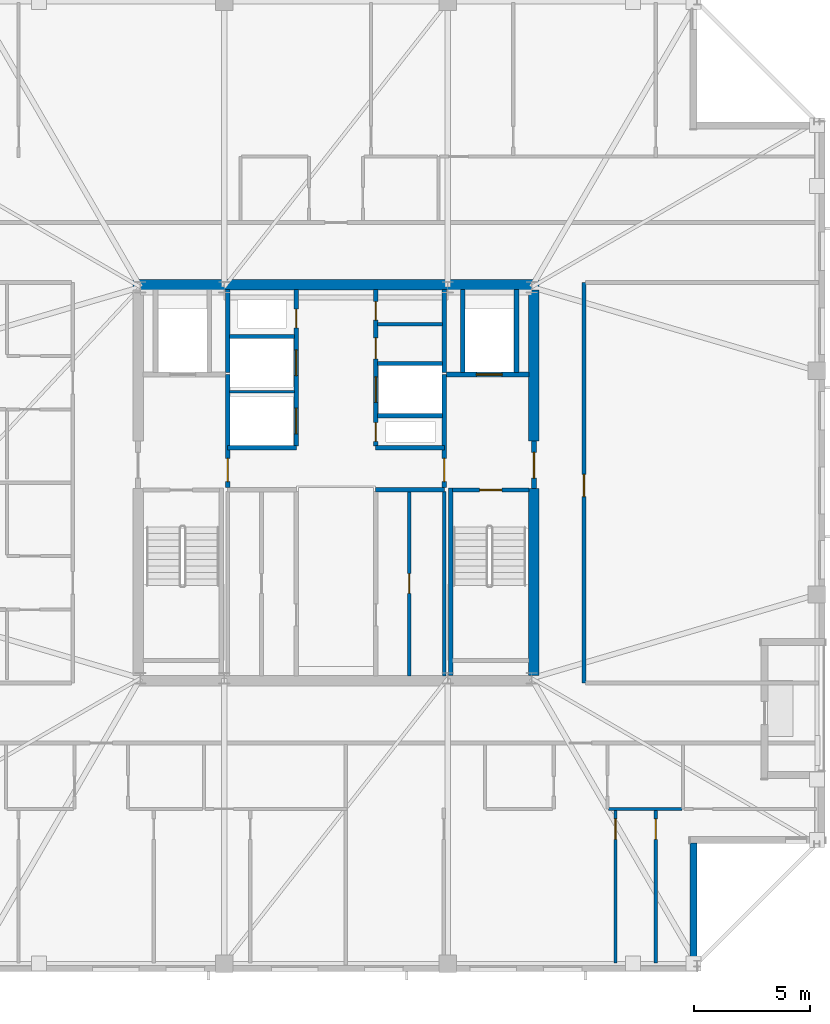
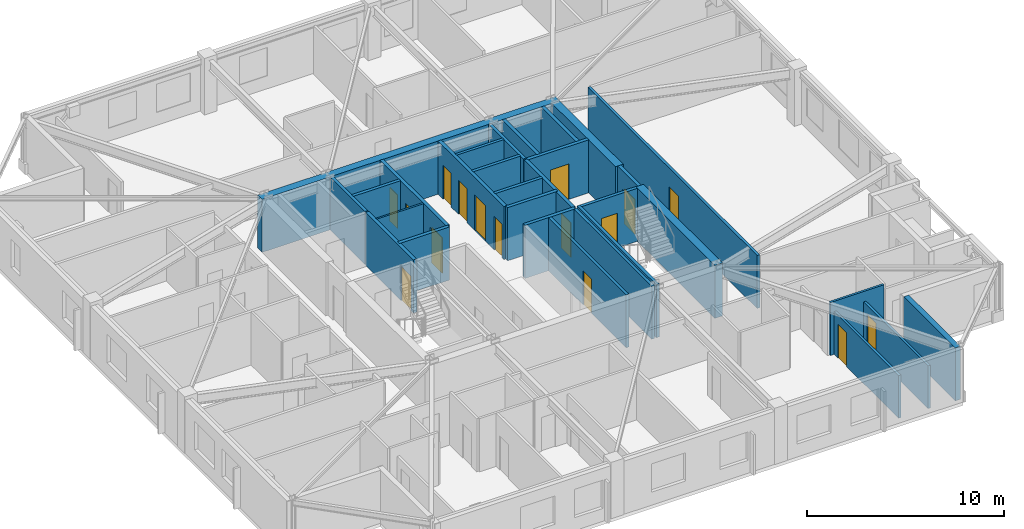
# One storey, part 9 of 15: 30 walls, 16 doors, 16 openings.
"""IFC4 building model written with IfcOpenShell, lengths in metres."""

from ifc_helpers import new_model, si_unit, direction, frame, frame_2d, origin, place, context, subcontext, project, spatial, rectangle, extrude, material, layer, layer_set, type_object, element, fill, save


model = new_model("IFC4")

# Units and contexts
model_context = context("Model", 3, precision=1e-05, world=origin(), true_north=direction((0.0, 1.0)))
body_context = subcontext(model_context, "Body", "Model", "MODEL_VIEW")
ifc_project = project(units=[si_unit("LENGTHUNIT", "METRE"), si_unit("AREAUNIT", "SQUARE_METRE"), si_unit("VOLUMEUNIT", "CUBIC_METRE"), si_unit("PLANEANGLEUNIT", "RADIAN"), si_unit("MASSUNIT", "GRAM", prefix="KILO")], contexts=[model_context])

# Site, building, storey
site_placement = place(None, origin())
site = spatial("IfcSite", under=ifc_project, at=site_placement, CompositionType="ELEMENT")
building_placement = place(site_placement, origin())
building = spatial("IfcBuilding", under=site, at=building_placement, Name="Cairnveth Concourse Tower", CompositionType="ELEMENT")
storey_placement = place(building_placement, frame((0.0, 0.0, 291.0)))
storey = spatial("IfcBuildingStorey", under=building, at=storey_placement, Name="L80", CompositionType="ELEMENT", Elevation=291.0)

# Wall
ifc_material_1 = material(Name="Gypsum Plasterboard Partition", Category="gypsum")
ifc_layer_1 = layer(ifc_material_1, 0.159912109375)
ifc_layer_set_1 = layer_set([ifc_layer_1], Name="Gypsum Plasterboard Partition")
wall_type_1 = type_object("IfcWallType", Name="ACOUSTIC PARTY WALL 180", PredefinedType="PARTITIONING", material=ifc_layer_set_1)
wall_1_placement = place(storey_placement, frame((56.64990234375, 30.7099609375, 0.0), z_axis=(0.0, 0.0, 1.0), x_axis=(0.0, 1.0, 0.0)))
element("IfcWall", 1, at=wall_1_placement, inside=storey, type_object=wall_type_1, Name="Interior Wall IW-L80-027", PredefinedType="PARTITIONING", context=body_context, shape_type="SweptSolid", body=[
    extrude(rectangle(XDim=7.905029296875, YDim=0.159912109375, at=frame_2d((3.95263671875, 0.0))), origin(), (0.0, 0.0, 1.0), 3.2900390625),
])

# Wall, opening, door
wall_2_placement = place(storey_placement, frame((55.14990234375, 30.7099609375, 0.0), z_axis=(0.0, 0.0, 1.0), x_axis=(0.0, 1.0, 0.0)))
wall_2 = element("IfcWall", 2, at=wall_2_placement, inside=storey, type_object=wall_type_1, Name="Interior Wall IW-L80-028", PredefinedType="PARTITIONING", context=body_context, shape_type="SweptSolid", body=[
    extrude(rectangle(XDim=7.905029296875, YDim=0.159912109375, at=frame_2d((3.95263671875, 0.0))), origin(), (0.0, 0.0, 1.0), 3.2900390625),
])
opening_1_placement = place(wall_2_placement, frame((3.5400390625, 0.0, 0.0)))
opening_1 = element("IfcOpeningElement", 3, at=opening_1_placement, cuts=wall_2, Name="Opening ID19", PredefinedType="OPENING", context=body_context, shape_type="SweptSolid", body=[
    extrude(rectangle(XDim=0.85009765625, YDim=2.1201171875, at=frame_2d((0.425048828125, 1.06005859375))), frame((0.0, 0.08984375, 0.0), z_axis=(0.0, -1.0, 0.0), x_axis=(1.0, 0.0, 0.0)), (0.0, 0.0, 1.0), 0.179931640625),
])
ifc_material_2 = material(Name="Steel Grade 350", Category="steel")
door_type_1 = type_object("IfcDoorType", Name="CORE SERVICE DOOR 850X2100", OperationType="NOTDEFINED", PredefinedType="DOOR", material=ifc_material_2)
door_1_placement = place(opening_1_placement, origin())
door_1 = element("IfcDoor", 4, at=door_1_placement, inside=storey, type_object=door_type_1, Name="Wine Cellar Door L80", OperationType="SINGLE_SWING_RIGHT", OverallHeight=2.1201171875, OverallWidth=0.85009765625, PredefinedType="DOOR", context=body_context, shape_type="SweptSolid", body=[
    extrude(rectangle(XDim=0.85009765625, YDim=2.1201171875, at=frame_2d((0.425048828125, 1.06005859375))), frame((0.0, 0.02490234375, 0.0), z_axis=(0.0, -1.0, 0.0), x_axis=(1.0, 0.0, 0.0)), (0.0, 0.0, 1.0), 0.050048828125),
])
fill(opening_1, door_1)

# Wall
wall_3_placement = place(storey_placement, frame((53.784912109375, 45.800048828125, 0.0), z_axis=(0.0, 0.0, 1.0), x_axis=(1.0, 0.0, 0.0)))
element("IfcWall", 5, at=wall_3_placement, inside=storey, type_object=wall_type_1, Name="Interior Wall IW-L80-035", PredefinedType="PARTITIONING", context=body_context, shape_type="SweptSolid", body=[
    extrude(rectangle(XDim=2.7900390625, YDim=0.159912109375, at=frame_2d((1.39501953125, 0.0))), origin(), (0.0, 0.0, 1.0), 3.2900390625),
])

# Wall, opening, door
wall_4_placement = place(storey_placement, frame((62.64990234375, 30.39990234375, 0.0), z_axis=(0.0, 0.0, 1.0), x_axis=(0.0, 1.0, 0.0)))
wall_4 = element("IfcWall", 6, at=wall_4_placement, inside=storey, type_object=wall_type_1, Name="Interior Wall IW-L80-039", PredefinedType="PARTITIONING", context=body_context, shape_type="SweptSolid", body=[
    extrude(rectangle(XDim=17.2001953125, YDim=0.159912109375, at=frame_2d((8.60009765625, 0.0))), origin(), (0.0, 0.0, 1.0), 3.2900390625),
])
opening_2_placement = place(wall_4_placement, frame((8.0, 0.0, 0.0)))
opening_2 = element("IfcOpeningElement", 7, at=opening_2_placement, cuts=wall_4, Name="Opening ID11", PredefinedType="OPENING", context=body_context, shape_type="SweptSolid", body=[
    extrude(rectangle(XDim=0.9599609375, YDim=2.1201171875, at=frame_2d((0.47998046875, 1.06005859375))), frame((0.0, 0.08984375, 0.0), z_axis=(0.0, -1.0, 0.0), x_axis=(1.0, 0.0, 0.0)), (0.0, 0.0, 1.0), 0.179931640625),
])
ifc_material_3 = material(Name="Solid Core Hardwood Timber Leaf", Category="wood")
door_type_2 = type_object("IfcDoorType", Name="INTERIOR SINGLE DOOR 960X2150", OperationType="NOTDEFINED", PredefinedType="DOOR", material=ifc_material_3)
door_2_placement = place(opening_2_placement, origin())
door_2 = element("IfcDoor", 8, at=door_2_placement, inside=storey, type_object=door_type_2, Name="Interior Door DR-L80-048", OperationType="SINGLE_SWING_RIGHT", OverallHeight=2.1201171875, OverallWidth=0.9599609375, PredefinedType="DOOR", context=body_context, shape_type="SweptSolid", body=[
    extrude(rectangle(XDim=0.9599609375, YDim=2.1201171875, at=frame_2d((0.47998046875, 1.06005859375))), frame((0.0, 0.02490234375, 0.0), z_axis=(0.0, -1.0, 0.0), x_axis=(1.0, 0.0, 0.0)), (0.0, 0.0, 1.0), 0.050048828125),
])
fill(opening_2, door_2)

# Walls
ifc_material_4 = material(Name="Concrete N65 (65 MPa)", Category="concrete")
ifc_layer_2 = layer(ifc_material_4, 0.449951171875)
ifc_layer_set_2 = layer_set([ifc_layer_2], Name="Concrete N65 (65 MPa)")
wall_type_2 = type_object("IfcWallType", Name="CORE SHEAR WALL 450", PredefinedType="SHEAR", material=ifc_layer_set_2)
wall_5_placement = place(storey_placement, frame((43.27490234375, 47.5, 0.0), z_axis=(0.0, 0.0, 1.0), x_axis=(1.0, 0.0, 0.0)))
element("IfcWall", 9, at=wall_5_placement, inside=storey, type_object=wall_type_2, Name="Core North Shear Wall L80", PredefinedType="SHEAR", context=body_context, shape_type="SweptSolid", body=[
    extrude(rectangle(XDim=17.4501953125, YDim=0.449951171875, at=frame_2d((8.72509765625, 0.0))), origin(), (0.0, 0.0, 1.0), 3.2900390625),
])
wall_6_placement = place(storey_placement, frame((60.5, 30.715087890625, 0.0), z_axis=(0.0, 0.0, 1.0), x_axis=(0.0, 1.0, 0.0)))
element("IfcWall", 10, at=wall_6_placement, inside=storey, type_object=wall_type_2, Name="Core East Shear Wall S L80", PredefinedType="SHEAR", context=body_context, shape_type="SweptSolid", body=[
    extrude(rectangle(XDim=8.034912109375, YDim=0.449951171875, at=frame_2d((4.017578125, 0.0))), origin(), (0.0, 0.0, 1.0), 3.2900390625),
])
wall_7_placement = place(storey_placement, frame((60.5, 40.800048828125, 0.0), z_axis=(0.0, 0.0, 1.0), x_axis=(0.0, 1.0, 0.0)))
element("IfcWall", 11, at=wall_7_placement, inside=storey, type_object=wall_type_2, Name="Core East Shear Wall N L80", PredefinedType="SHEAR", context=body_context, shape_type="SweptSolid", body=[
    extrude(rectangle(XDim=6.48486328125, YDim=0.449951171875, at=frame_2d((3.242431640625, 0.0))), origin(), (0.0, 0.0, 1.0), 3.2900390625),
])
ifc_material_5 = material(Name="Concrete N50 (50 MPa)", Category="concrete")
ifc_layer_3 = layer(ifc_material_5, 0.179931640625)
ifc_layer_set_3 = layer_set([ifc_layer_3], Name="Concrete N50 (50 MPa)")
wall_type_3 = type_object("IfcWallType", Name="FIRE SHAFT WALL 180", PredefinedType="SOLIDWALL", material=ifc_layer_set_3)
wall_8_placement = place(storey_placement, frame((47.35009765625, 43.735107421875, 0.0), z_axis=(0.0, 0.0, 1.0), x_axis=(0.0, 1.0, 0.0)))
element("IfcWall", 12, at=wall_8_placement, inside=storey, type_object=wall_type_3, Name="Interior Wall IW-L80-029", PredefinedType="SOLIDWALL", context=body_context, shape_type="SweptSolid", body=[
    extrude(rectangle(XDim=3.554931640625, YDim=0.179931640625, at=frame_2d((1.77734375, 0.0))), origin(), (0.0, 0.0, 1.0), 3.2900390625),
])
wall_9_placement = place(storey_placement, frame((47.425048828125, 45.280029296875, 0.0), z_axis=(0.0, 0.0, 1.0), x_axis=(1.0, 0.0, 0.0)))
element("IfcWall", 13, at=wall_9_placement, inside=storey, type_object=wall_type_3, Name="Interior Wall IW-L80-031", PredefinedType="SOLIDWALL", context=body_context, shape_type="SweptSolid", body=[
    extrude(rectangle(XDim=2.7900390625, YDim=0.179931640625, at=frame_2d((1.39501953125, 0.0))), origin(), (0.0, 0.0, 1.0), 3.2900390625),
])
wall_10_placement = place(storey_placement, frame((56.64990234375, 43.735107421875, 0.0), z_axis=(0.0, 0.0, 1.0), x_axis=(0.0, 1.0, 0.0)))
element("IfcWall", 14, at=wall_10_placement, inside=storey, type_object=wall_type_3, Name="Interior Wall IW-L80-032", PredefinedType="SOLIDWALL", context=body_context, shape_type="SweptSolid", body=[
    extrude(rectangle(XDim=3.554931640625, YDim=0.179931640625, at=frame_2d((1.77734375, 0.0))), origin(), (0.0, 0.0, 1.0), 3.2900390625),
])
wall_11_placement = place(storey_placement, frame((53.784912109375, 41.8798828125, 0.0), z_axis=(0.0, 0.0, 1.0), x_axis=(1.0, 0.0, 0.0)))
element("IfcWall", 15, at=wall_11_placement, inside=storey, type_object=wall_type_3, Name="Interior Wall IW-L80-033", PredefinedType="SOLIDWALL", context=body_context, shape_type="SweptSolid", body=[
    extrude(rectangle(XDim=2.780029296875, YDim=0.179931640625, at=frame_2d((1.39013671875, 0.0))), origin(), (0.0, 0.0, 1.0), 3.2900390625),
])
wall_12_placement = place(storey_placement, frame((53.784912109375, 44.1201171875, 0.0), z_axis=(0.0, 0.0, 1.0), x_axis=(1.0, 0.0, 0.0)))
element("IfcWall", 16, at=wall_12_placement, inside=storey, type_object=wall_type_3, Name="Interior Wall IW-L80-034", PredefinedType="SOLIDWALL", context=body_context, shape_type="SweptSolid", body=[
    extrude(rectangle(XDim=2.7900390625, YDim=0.179931640625, at=frame_2d((1.39501953125, 0.0))), origin(), (0.0, 0.0, 1.0), 3.2900390625),
])

# Wall, opening, door
wall_13_placement = place(storey_placement, frame((57.0048828125, 38.68994140625, 0.0), z_axis=(0.0, 0.0, 1.0), x_axis=(1.0, 0.0, 0.0)))
wall_13 = element("IfcWall", 17, at=wall_13_placement, inside=storey, type_object=wall_type_3, Name="Stair ST-2 Shaft Wall NEAR L80", PredefinedType="SOLIDWALL", context=body_context, shape_type="SweptSolid", body=[
    extrude(rectangle(XDim=3.280029296875, YDim=0.179931640625, at=frame_2d((1.64013671875, 0.0))), origin(), (0.0, 0.0, 1.0), 3.2900390625),
])
opening_3_placement = place(wall_13_placement, frame((1.1650390625, 0.0, 0.0)))
opening_3 = element("IfcOpeningElement", 18, at=opening_3_placement, cuts=wall_13, Name="Opening ID12", PredefinedType="OPENING", context=body_context, shape_type="SweptSolid", body=[
    extrude(rectangle(XDim=0.949951171875, YDim=2.14990234375, at=frame_2d((0.47509765625, 1.074951171875))), frame((0.0, 0.099853515625, 0.0), z_axis=(0.0, -1.0, 0.0), x_axis=(1.0, 0.0, 0.0)), (0.0, 0.0, 1.0), 0.199951171875),
])
door_type_3 = type_object("IfcDoorType", Name="FIRE STAIR DOOR 950X2150", OperationType="NOTDEFINED", PredefinedType="DOOR", material=ifc_material_2)
door_3_placement = place(opening_3_placement, origin())
door_3 = element("IfcDoor", 19, at=door_3_placement, inside=storey, type_object=door_type_3, Name="Stair ST-2 Fire Door L80", OperationType="SINGLE_SWING_RIGHT", OverallHeight=2.14990234375, OverallWidth=0.949951171875, PredefinedType="DOOR", context=body_context, shape_type="SweptSolid", body=[
    extrude(rectangle(XDim=0.949951171875, YDim=2.14990234375, at=frame_2d((0.47509765625, 1.074951171875))), frame((0.0, 0.02490234375, 0.0), z_axis=(0.0, -1.0, 0.0), x_axis=(1.0, 0.0, 0.0)), (0.0, 0.0, 1.0), 0.050048828125),
])
fill(opening_3, door_3)

# Walls
wall_14_placement = place(storey_placement, frame((56.929931640625, 38.780029296875, 0.0), z_axis=(0.0, 0.0, 1.0), x_axis=(0.0, -1.0, 0.0)))
element("IfcWall", 20, at=wall_14_placement, inside=storey, type_object=wall_type_3, Name="Stair ST-2 Shaft Wall LEFT L80", PredefinedType="SOLIDWALL", context=body_context, shape_type="SweptSolid", body=[
    extrude(rectangle(XDim=8.067138671875, YDim=0.179931640625, at=frame_2d((4.03369140625, 0.0))), origin(), (0.0, 0.0, 1.0), 3.2900390625),
])
ifc_layer_4 = layer(ifc_material_5, 0.199951171875)
ifc_layer_set_4 = layer_set([ifc_layer_4], Name="Concrete N50 (50 MPa)")
wall_type_4 = type_object("IfcWallType", Name="FIRE SHAFT WALL 200", PredefinedType="SOLIDWALL", material=ifc_layer_set_4)
for number, where, z_axis, x_axis, name in (
    (21, (47.35009765625, 40.5, 0.0), (0.0, 0.0, 1.0), (1.0, 0.0, 0.0), "Interior Wall IW-L80-008"),
    (22, (53.699951171875, 38.699951171875, 0.0), (0.0, 0.0, 1.0), (1.0, 0.0, 0.0), "Interior Wall IW-L80-009"),
    (23, (53.699951171875, 40.5, 0.0), (0.0, 0.0, 1.0), (1.0, 0.0, 0.0), "Interior Wall IW-L80-010"),
):
    element("IfcWall", number, at=place(storey_placement, frame(where, z_axis=z_axis, x_axis=x_axis)), inside=storey, type_object=wall_type_4, Name=name, PredefinedType="SOLIDWALL", context=body_context, shape_type="SweptSolid", body=[
        extrude(rectangle(XDim=2.949951171875, YDim=0.199951171875, at=frame_2d((1.47509765625, 0.0))), origin(), (0.0, 0.0, 1.0), 3.2900390625),
    ])

# Wall, openings, doors
wall_15_placement = place(storey_placement, frame((50.300048828125, 40.5849609375, 0.0), z_axis=(0.0, 0.0, 1.0), x_axis=(0.0, 1.0, 0.0)))
wall_15 = element("IfcWall", 24, at=wall_15_placement, inside=storey, type_object=wall_type_4, Name="Interior Wall IW-L80-013", PredefinedType="SOLIDWALL", context=body_context, shape_type="SweptSolid", body=[
    extrude(rectangle(XDim=6.705078125, YDim=0.199951171875, at=frame_2d((3.3525390625, 0.0))), origin(), (0.0, 0.0, 1.0), 3.2900390625),
])
opening_4_placement = place(wall_15_placement, frame((0.514892578125, 0.0, 0.0)))
opening_4 = element("IfcOpeningElement", 25, at=opening_4_placement, cuts=wall_15, Name="Opening LD-1", PredefinedType="OPENING", context=body_context, shape_type="SweptSolid", body=[
    extrude(rectangle(XDim=1.10009765625, YDim=2.199951171875, at=frame_2d((0.550048828125, 1.10009765625))), frame((0.0, 0.10986328125, 0.0), z_axis=(0.0, -1.0, 0.0), x_axis=(1.0, 0.0, 0.0)), (0.0, 0.0, 1.0), 0.219970703125),
])
opening_5_placement = place(wall_15_placement, frame((3.014892578125, 0.0, 0.0)))
opening_5 = element("IfcOpeningElement", 26, at=opening_5_placement, cuts=wall_15, Name="Opening LD-1", PredefinedType="OPENING", context=body_context, shape_type="SweptSolid", body=[
    extrude(rectangle(XDim=1.10009765625, YDim=2.199951171875, at=frame_2d((0.550048828125, 1.10009765625))), frame((0.0, 0.10986328125, 0.0), z_axis=(0.0, -1.0, 0.0), x_axis=(1.0, 0.0, 0.0)), (0.0, 0.0, 1.0), 0.219970703125),
])
opening_6_placement = place(wall_15_placement, frame((5.06494140625, 0.0, 0.0)))
opening_6 = element("IfcOpeningElement", 27, at=opening_6_placement, cuts=wall_15, Name="Opening ID24", PredefinedType="OPENING", context=body_context, shape_type="SweptSolid", body=[
    extrude(rectangle(XDim=0.800048828125, YDim=2.080078125, at=frame_2d((0.39990234375, 1.0400390625))), frame((0.0, 0.10986328125, 0.0), z_axis=(0.0, -1.0, 0.0), x_axis=(1.0, 0.0, 0.0)), (0.0, 0.0, 1.0), 0.219970703125),
])
ifc_material_6 = material(Name="Architectural Bronze Anodised Aluminium 6063-T6", Category="aluminium")
door_type_4 = type_object("IfcDoorType", Name="LIFT LANDING DOOR 1100X2200", OperationType="SLIDING_TO_LEFT", PredefinedType="DOOR", material=ifc_material_6)
door_4_placement = place(opening_4_placement, origin())
door_4 = element("IfcDoor", 28, at=door_4_placement, inside=storey, type_object=door_type_4, Name="Lift PL7 Landing Door L80", OperationType="SLIDING_TO_LEFT", OverallHeight=2.199951171875, OverallWidth=1.10009765625, PredefinedType="DOOR", context=body_context, shape_type="SweptSolid", body=[
    extrude(rectangle(XDim=1.10009765625, YDim=2.199951171875, at=frame_2d((0.550048828125, 1.10009765625))), frame((0.0, 0.02490234375, 0.0), z_axis=(0.0, -1.0, 0.0), x_axis=(1.0, 0.0, 0.0)), (0.0, 0.0, 1.0), 0.050048828125),
])
fill(opening_4, door_4)
door_5_placement = place(opening_5_placement, origin())
door_5 = element("IfcDoor", 29, at=door_5_placement, inside=storey, type_object=door_type_4, Name="Lift PL8 Landing Door L80", OperationType="SLIDING_TO_LEFT", OverallHeight=2.199951171875, OverallWidth=1.10009765625, PredefinedType="DOOR", context=body_context, shape_type="SweptSolid", body=[
    extrude(rectangle(XDim=1.10009765625, YDim=2.199951171875, at=frame_2d((0.550048828125, 1.10009765625))), frame((0.0, 0.02490234375, 0.0), z_axis=(0.0, -1.0, 0.0), x_axis=(1.0, 0.0, 0.0)), (0.0, 0.0, 1.0), 0.050048828125),
])
fill(opening_5, door_5)
door_type_5 = type_object("IfcDoorType", Name="RISER ACCESS DOOR 800X2100", OperationType="NOTDEFINED", PredefinedType="DOOR", material=ifc_material_2)
door_6_placement = place(opening_6_placement, origin())
door_6 = element("IfcDoor", 30, at=door_6_placement, inside=storey, type_object=door_type_5, Name="NW Electrical Riser Access Door L80", OperationType="SINGLE_SWING_LEFT", OverallHeight=2.080078125, OverallWidth=0.800048828125, PredefinedType="DOOR", context=body_context, shape_type="SweptSolid", body=[
    extrude(rectangle(XDim=0.800048828125, YDim=2.080078125, at=frame_2d((0.39990234375, 1.0400390625))), frame((0.0, 0.02490234375, 0.0), z_axis=(0.0, -1.0, 0.0), x_axis=(1.0, 0.0, 0.0)), (0.0, 0.0, 1.0), 0.050048828125),
])
fill(opening_6, door_6)

wall_16_placement = place(storey_placement, frame((53.699951171875, 40.5849609375, 0.0), z_axis=(0.0, 0.0, 1.0), x_axis=(0.0, 1.0, 0.0)))
wall_16 = element("IfcWall", 31, at=wall_16_placement, inside=storey, type_object=wall_type_4, Name="Interior Wall IW-L80-014", PredefinedType="SOLIDWALL", context=body_context, shape_type="SweptSolid", body=[
    extrude(rectangle(XDim=6.705078125, YDim=0.199951171875, at=frame_2d((3.3525390625, 0.0))), origin(), (0.0, 0.0, 1.0), 3.2900390625),
])
opening_7_placement = place(wall_16_placement, frame((0.195068359375, 0.0, 0.0)))
opening_7 = element("IfcOpeningElement", 32, at=opening_7_placement, cuts=wall_16, Name="Opening ID24", PredefinedType="OPENING", context=body_context, shape_type="SweptSolid", body=[
    extrude(rectangle(XDim=0.800048828125, YDim=2.080078125, at=frame_2d((0.39990234375, 1.0400390625))), frame((0.0, 0.10986328125, 0.0), z_axis=(0.0, -1.0, 0.0), x_axis=(1.0, 0.0, 0.0)), (0.0, 0.0, 1.0), 0.219970703125),
])
opening_8_placement = place(wall_16_placement, frame((1.864990234375, 0.0, 0.0)))
opening_8 = element("IfcOpeningElement", 33, at=opening_8_placement, cuts=wall_16, Name="Opening LD-1", PredefinedType="OPENING", context=body_context, shape_type="SweptSolid", body=[
    extrude(rectangle(XDim=1.10009765625, YDim=2.199951171875, at=frame_2d((0.550048828125, 1.10009765625))), frame((0.0, 0.10986328125, 0.0), z_axis=(0.0, -1.0, 0.0), x_axis=(1.0, 0.0, 0.0)), (0.0, 0.0, 1.0), 0.219970703125),
])
opening_9_placement = place(wall_16_placement, frame((3.735107421875, 0.0, 0.0)))
opening_9 = element("IfcOpeningElement", 34, at=opening_9_placement, cuts=wall_16, Name="Opening ID26", PredefinedType="OPENING", context=body_context, shape_type="SweptSolid", body=[
    extrude(rectangle(XDim=0.89990234375, YDim=2.1201171875, at=frame_2d((0.449951171875, 1.06005859375))), frame((0.0, 0.10986328125, 0.0), z_axis=(0.0, -1.0, 0.0), x_axis=(1.0, 0.0, 0.0)), (0.0, 0.0, 1.0), 0.219970703125),
])
opening_10_placement = place(wall_16_placement, frame((5.39501953125, 0.0, 0.0)))
opening_10 = element("IfcOpeningElement", 35, at=opening_10_placement, cuts=wall_16, Name="Opening ID23", PredefinedType="OPENING", context=body_context, shape_type="SweptSolid", body=[
    extrude(rectangle(XDim=0.800048828125, YDim=2.10009765625, at=frame_2d((0.39990234375, 1.050048828125))), frame((0.0, 0.10986328125, 0.0), z_axis=(0.0, -1.0, 0.0), x_axis=(1.0, 0.0, 0.0)), (0.0, 0.0, 1.0), 0.219970703125),
])
door_type_6 = type_object("IfcDoorType", Name="CORE SERVICE DOOR 800X2100", OperationType="NOTDEFINED", PredefinedType="DOOR", material=ifc_material_2)
door_7_placement = place(opening_10_placement, origin())
door_7 = element("IfcDoor", 36, at=door_7_placement, inside=storey, type_object=door_type_6, Name="Core NE Cleaners Door L80", OperationType="SINGLE_SWING_LEFT", OverallHeight=2.10009765625, OverallWidth=0.800048828125, PredefinedType="DOOR", context=body_context, shape_type="SweptSolid", body=[
    extrude(rectangle(XDim=0.800048828125, YDim=2.10009765625, at=frame_2d((0.39990234375, 1.050048828125))), frame((0.0, 0.02490234375, 0.0), z_axis=(0.0, -1.0, 0.0), x_axis=(1.0, 0.0, 0.0)), (0.0, 0.0, 1.0), 0.050048828125),
])
fill(opening_10, door_7)
door_type_7 = type_object("IfcDoorType", Name="CORE TOILET FIRE DOOR 900X2120", OperationType="NOTDEFINED", PredefinedType="DOOR", material=ifc_material_2)
door_8_placement = place(opening_9_placement, origin())
door_8 = element("IfcDoor", 37, at=door_8_placement, inside=storey, type_object=door_type_7, Name="Core NE Unisex WC Door L80", OperationType="SINGLE_SWING_RIGHT", OverallHeight=2.1201171875, OverallWidth=0.89990234375, PredefinedType="DOOR", context=body_context, shape_type="SweptSolid", body=[
    extrude(rectangle(XDim=0.89990234375, YDim=2.1201171875, at=frame_2d((0.449951171875, 1.06005859375))), frame((0.0, 0.02490234375, 0.0), z_axis=(0.0, -1.0, 0.0), x_axis=(1.0, 0.0, 0.0)), (0.0, 0.0, 1.0), 0.050048828125),
])
fill(opening_9, door_8)
door_9_placement = place(opening_8_placement, origin())
door_9 = element("IfcDoor", 38, at=door_9_placement, inside=storey, type_object=door_type_4, Name="Lift PL9 Landing Door L80", OperationType="SLIDING_TO_LEFT", OverallHeight=2.199951171875, OverallWidth=1.10009765625, PredefinedType="DOOR", context=body_context, shape_type="SweptSolid", body=[
    extrude(rectangle(XDim=1.10009765625, YDim=2.199951171875, at=frame_2d((0.550048828125, 1.10009765625))), frame((0.0, 0.02490234375, 0.0), z_axis=(0.0, -1.0, 0.0), x_axis=(1.0, 0.0, 0.0)), (0.0, 0.0, 1.0), 0.050048828125),
])
fill(opening_8, door_9)
door_10_placement = place(opening_7_placement, origin())
door_10 = element("IfcDoor", 39, at=door_10_placement, inside=storey, type_object=door_type_5, Name="Hydraulic Riser Door L80", OperationType="SINGLE_SWING_RIGHT", OverallHeight=2.080078125, OverallWidth=0.800048828125, PredefinedType="DOOR", context=body_context, shape_type="SweptSolid", body=[
    extrude(rectangle(XDim=0.800048828125, YDim=2.080078125, at=frame_2d((0.39990234375, 1.0400390625))), frame((0.0, 0.02490234375, 0.0), z_axis=(0.0, -1.0, 0.0), x_axis=(1.0, 0.0, 0.0)), (0.0, 0.0, 1.0), 0.050048828125),
])
fill(opening_7, door_10)

# Wall, opening, door
wall_17_placement = place(storey_placement, frame((47.35009765625, 38.784912109375, 0.0), z_axis=(0.0, 0.0, 1.0), x_axis=(0.0, 1.0, 0.0)))
wall_17 = element("IfcWall", 40, at=wall_17_placement, inside=storey, type_object=wall_type_4, Name="Interior Wall IW-L80-016", PredefinedType="SOLIDWALL", context=body_context, shape_type="SweptSolid", body=[
    extrude(rectangle(XDim=4.864990234375, YDim=0.199951171875, at=frame_2d((2.4326171875, 0.0))), origin(), (0.0, 0.0, 1.0), 3.2900390625),
])
opening_11_placement = place(wall_17_placement, frame((0.264892578125, 0.0, 0.0)))
opening_11 = element("IfcOpeningElement", 41, at=opening_11_placement, cuts=wall_17, Name="Opening ID07", PredefinedType="OPENING", context=body_context, shape_type="SweptSolid", body=[
    extrude(rectangle(XDim=1.0, YDim=2.14990234375, at=frame_2d((0.5, 1.074951171875))), frame((0.0, 0.10986328125, 0.0), z_axis=(0.0, -1.0, 0.0), x_axis=(1.0, 0.0, 0.0)), (0.0, 0.0, 1.0), 0.219970703125),
])
door_type_8 = type_object("IfcDoorType", Name="FIRE CORRIDOR DOOR 1000X2150", OperationType="NOTDEFINED", PredefinedType="DOOR", material=ifc_material_2)
door_11_placement = place(opening_11_placement, origin())
door_11 = element("IfcDoor", 42, at=door_11_placement, inside=storey, type_object=door_type_8, Name="FF Lobby West to Lift Lobby Door L80", OperationType="SINGLE_SWING_RIGHT", OverallHeight=2.14990234375, OverallWidth=1.0, PredefinedType="DOOR", context=body_context, shape_type="SweptSolid", body=[
    extrude(rectangle(XDim=1.0, YDim=2.14990234375, at=frame_2d((0.5, 1.074951171875))), frame((0.0, 0.02490234375, 0.0), z_axis=(0.0, -1.0, 0.0), x_axis=(1.0, 0.0, 0.0)), (0.0, 0.0, 1.0), 0.050048828125),
])
fill(opening_11, door_11)

wall_18_placement = place(storey_placement, frame((60.5, 38.75, 0.0), z_axis=(0.0, 0.0, 1.0), x_axis=(0.0, 1.0, 0.0)))
wall_18 = element("IfcWall", 43, at=wall_18_placement, inside=storey, type_object=wall_type_4, Name="Interior Wall IW-L80-020", PredefinedType="SOLIDWALL", context=body_context, shape_type="SweptSolid", body=[
    extrude(rectangle(XDim=2.050048828125, YDim=0.199951171875, at=frame_2d((1.02490234375, 0.0))), origin(), (0.0, 0.0, 1.0), 3.2900390625),
])
opening_12_placement = place(wall_18_placement, frame((0.449951171875, 0.0, 0.0)))
opening_12 = element("IfcOpeningElement", 44, at=opening_12_placement, cuts=wall_18, Name="Opening ID06", PredefinedType="OPENING", context=body_context, shape_type="SweptSolid", body=[
    extrude(rectangle(XDim=1.10009765625, YDim=2.14990234375, at=frame_2d((0.550048828125, 1.074951171875))), frame((0.0, 0.10986328125, 0.0), z_axis=(0.0, -1.0, 0.0), x_axis=(1.0, 0.0, 0.0)), (0.0, 0.0, 1.0), 0.219970703125),
])
door_type_9 = type_object("IfcDoorType", Name="FIRE CORRIDOR DOOR 1100X2150", OperationType="NOTDEFINED", PredefinedType="DOOR", material=ifc_material_2)
door_12_placement = place(opening_12_placement, origin())
door_12 = element("IfcDoor", 45, at=door_12_placement, inside=storey, type_object=door_type_9, Name="East Wing to FF Lobby Door L80", OperationType="SINGLE_SWING_RIGHT", OverallHeight=2.14990234375, OverallWidth=1.10009765625, PredefinedType="DOOR", context=body_context, shape_type="SweptSolid", body=[
    extrude(rectangle(XDim=1.10009765625, YDim=2.14990234375, at=frame_2d((0.550048828125, 1.074951171875))), frame((0.0, 0.02490234375, 0.0), z_axis=(0.0, -1.0, 0.0), x_axis=(1.0, 0.0, 0.0)), (0.0, 0.0, 1.0), 0.050048828125),
])
fill(opening_12, door_12)

wall_19_placement = place(storey_placement, frame((56.64990234375, 38.784912109375, 0.0), z_axis=(0.0, 0.0, 1.0), x_axis=(0.0, 1.0, 0.0)))
wall_19 = element("IfcWall", 46, at=wall_19_placement, inside=storey, type_object=wall_type_4, Name="Interior Wall IW-L80-021", PredefinedType="SOLIDWALL", context=body_context, shape_type="SweptSolid", body=[
    extrude(rectangle(XDim=4.864990234375, YDim=0.199951171875, at=frame_2d((2.4326171875, 0.0))), origin(), (0.0, 0.0, 1.0), 3.2900390625),
])
opening_13_placement = place(wall_19_placement, frame((0.264892578125, 0.0, 0.0)))
opening_13 = element("IfcOpeningElement", 47, at=opening_13_placement, cuts=wall_19, Name="Opening ID07", PredefinedType="OPENING", context=body_context, shape_type="SweptSolid", body=[
    extrude(rectangle(XDim=1.0, YDim=2.14990234375, at=frame_2d((0.5, 1.074951171875))), frame((0.0, 0.10986328125, 0.0), z_axis=(0.0, -1.0, 0.0), x_axis=(1.0, 0.0, 0.0)), (0.0, 0.0, 1.0), 0.219970703125),
])
door_13_placement = place(opening_13_placement, origin())
door_13 = element("IfcDoor", 48, at=door_13_placement, inside=storey, type_object=door_type_8, Name="FF Lobby East to Lift Lobby Door L80", OperationType="SINGLE_SWING_LEFT", OverallHeight=2.14990234375, OverallWidth=1.0, PredefinedType="DOOR", context=body_context, shape_type="SweptSolid", body=[
    extrude(rectangle(XDim=1.0, YDim=2.14990234375, at=frame_2d((0.5, 1.074951171875))), frame((0.0, 0.02490234375, 0.0), z_axis=(0.0, -1.0, 0.0), x_axis=(1.0, 0.0, 0.0)), (0.0, 0.0, 1.0), 0.050048828125),
])
fill(opening_13, door_13)

wall_20_placement = place(storey_placement, frame((56.735107421875, 43.64990234375, 0.0), z_axis=(0.0, 0.0, 1.0), x_axis=(1.0, 0.0, 0.0)))
wall_20 = element("IfcWall", 49, at=wall_20_placement, inside=storey, type_object=wall_type_4, Name="Interior Wall IW-L80-022", PredefinedType="SOLIDWALL", context=body_context, shape_type="SweptSolid", body=[
    extrude(rectangle(XDim=3.554931640625, YDim=0.199951171875, at=frame_2d((1.77734375, 0.0))), origin(), (0.0, 0.0, 1.0), 3.2900390625),
])
opening_14_placement = place(wall_20_placement, frame((1.294921875, 0.0, 0.0)))
opening_14 = element("IfcOpeningElement", 50, at=opening_14_placement, cuts=wall_20, Name="Opening LD-1", PredefinedType="OPENING", context=body_context, shape_type="SweptSolid", body=[
    extrude(rectangle(XDim=1.10009765625, YDim=2.199951171875, at=frame_2d((0.550048828125, 1.10009765625))), frame((0.0, 0.10986328125, 0.0), z_axis=(0.0, -1.0, 0.0), x_axis=(1.0, 0.0, 0.0)), (0.0, 0.0, 1.0), 0.219970703125),
])
door_14_placement = place(opening_14_placement, origin())
door_14 = element("IfcDoor", 51, at=door_14_placement, inside=storey, type_object=door_type_4, Name="Lift FFL2 Landing Door L80", OperationType="SLIDING_TO_LEFT", OverallHeight=2.199951171875, OverallWidth=1.10009765625, PredefinedType="DOOR", context=body_context, shape_type="SweptSolid", body=[
    extrude(rectangle(XDim=1.10009765625, YDim=2.199951171875, at=frame_2d((0.550048828125, 1.10009765625))), frame((0.0, 0.02490234375, 0.0), z_axis=(0.0, -1.0, 0.0), x_axis=(1.0, 0.0, 0.0)), (0.0, 0.0, 1.0), 0.050048828125),
])
fill(opening_14, door_14)

# Walls
for number, where, z_axis, x_axis, name in (
    (52, (57.449951171875, 43.735107421875, 0.0), (0.0, 0.0, 1.0), (0.0, 1.0, 0.0), "Interior Wall IW-L80-023"),
    (53, (59.75, 43.735107421875, 0.0), (0.0, 0.0, 1.0), (0.0, 1.0, 0.0), "Interior Wall IW-L80-024"),
):
    element("IfcWall", number, at=place(storey_placement, frame(where, z_axis=z_axis, x_axis=x_axis)), inside=storey, type_object=wall_type_4, Name=name, PredefinedType="SOLIDWALL", context=body_context, shape_type="SweptSolid", body=[
        extrude(rectangle(XDim=3.554931640625, YDim=0.199951171875, at=frame_2d((1.77734375, 0.0))), origin(), (0.0, 0.0, 1.0), 3.2900390625),
    ])

# Wall, opening, door
ifc_layer_5 = layer(ifc_material_1, 0.139892578125)
ifc_layer_set_5 = layer_set([ifc_layer_5], Name="Gypsum Plasterboard Partition")
wall_type_5 = type_object("IfcWallType", Name="GYPSUM STUD PARTITION 140", PredefinedType="PARTITIONING", material=ifc_layer_set_5)
wall_21_placement = place(storey_placement, frame((65.72998046875, 18.3798828125, 0.0), z_axis=(0.0, 0.0, 1.0), x_axis=(0.0, 1.0, 0.0)))
wall_21 = element("IfcWall", 54, at=wall_21_placement, inside=storey, type_object=wall_type_5, Name="Interior Wall IW-L80-062", PredefinedType="PARTITIONING", context=body_context, shape_type="SweptSolid", body=[
    extrude(rectangle(XDim=6.5625, YDim=0.139892578125, at=frame_2d((3.28125, 0.0))), origin(), (0.0, 0.0, 1.0), 2.653076171875),
])
opening_15_placement = place(wall_21_placement, frame((5.302490234375, 0.0, 0.0)))
opening_15 = element("IfcOpeningElement", 55, at=opening_15_placement, cuts=wall_21, Name="Opening ID18", PredefinedType="OPENING", context=body_context, shape_type="SweptSolid", body=[
    extrude(rectangle(XDim=0.8798828125, YDim=2.10009765625, at=frame_2d((0.43994140625, 1.050048828125))), frame((0.0, 0.079833984375, 0.0), z_axis=(0.0, -1.0, 0.0), x_axis=(1.0, 0.0, 0.0)), (0.0, 0.0, 1.0), 0.159912109375),
])
door_type_10 = type_object("IfcDoorType", Name="INTERIOR SINGLE DOOR 880X2100", OperationType="NOTDEFINED", PredefinedType="DOOR", material=ifc_material_3)
door_15_placement = place(opening_15_placement, origin())
door_15 = element("IfcDoor", 56, at=door_15_placement, inside=storey, type_object=door_type_10, Name="L80PS2 Bedroom 2 Door", OperationType="SINGLE_SWING_LEFT", OverallHeight=2.10009765625, OverallWidth=0.8798828125, PredefinedType="DOOR", context=body_context, shape_type="SweptSolid", body=[
    extrude(rectangle(XDim=0.8798828125, YDim=2.10009765625, at=frame_2d((0.43994140625, 1.050048828125))), frame((0.0, 0.02490234375, 0.0), z_axis=(0.0, -1.0, 0.0), x_axis=(1.0, 0.0, 0.0)), (0.0, 0.0, 1.0), 0.050048828125),
])
fill(opening_15, door_15)

wall_22_placement = place(storey_placement, frame((64.001220703125, 18.3798828125, 0.0), z_axis=(0.0, 0.0, 1.0), x_axis=(0.0, 1.0, 0.0)))
wall_22 = element("IfcWall", 57, at=wall_22_placement, inside=storey, type_object=wall_type_5, Name="Interior Wall IW-L80-064", PredefinedType="PARTITIONING", context=body_context, shape_type="SweptSolid", body=[
    extrude(rectangle(XDim=6.5625, YDim=0.139892578125, at=frame_2d((3.28125, 0.0))), origin(), (0.0, 0.0, 1.0), 2.653076171875),
])
opening_16_placement = place(wall_22_placement, frame((5.302490234375, 0.0, 0.0)))
opening_16 = element("IfcOpeningElement", 58, at=opening_16_placement, cuts=wall_22, Name="Opening ID18", PredefinedType="OPENING", context=body_context, shape_type="SweptSolid", body=[
    extrude(rectangle(XDim=0.8798828125, YDim=2.10009765625, at=frame_2d((0.43994140625, 1.050048828125))), frame((0.0, 0.079833984375, 0.0), z_axis=(0.0, -1.0, 0.0), x_axis=(1.0, 0.0, 0.0)), (0.0, 0.0, 1.0), 0.159912109375),
])
door_16_placement = place(opening_16_placement, origin())
door_16 = element("IfcDoor", 59, at=door_16_placement, inside=storey, type_object=door_type_10, Name="L80PS2 Media Lounge Door", OperationType="SINGLE_SWING_RIGHT", OverallHeight=2.10009765625, OverallWidth=0.8798828125, PredefinedType="DOOR", context=body_context, shape_type="SweptSolid", body=[
    extrude(rectangle(XDim=0.8798828125, YDim=2.10009765625, at=frame_2d((0.43994140625, 1.050048828125))), frame((0.0, 0.02490234375, 0.0), z_axis=(0.0, -1.0, 0.0), x_axis=(1.0, 0.0, 0.0)), (0.0, 0.0, 1.0), 0.050048828125),
])
fill(opening_16, door_16)

# Walls
ifc_layer_6 = layer(ifc_material_1, 0.110107421875)
ifc_layer_set_6 = layer_set([ifc_layer_6], Name="Gypsum Plasterboard Partition")
wall_type_6 = type_object("IfcWallType", Name="SHAFT DIVIDER WALL 140", PredefinedType="PARTITIONING", material=ifc_layer_set_6)
wall_23_placement = place(storey_placement, frame((47.43505859375, 42.89990234375, 0.0), z_axis=(0.0, 0.0, 1.0), x_axis=(1.0, 0.0, 0.0)))
element("IfcWall", 60, at=wall_23_placement, inside=storey, type_object=wall_type_6, Name="Interior Wall IW-L80-030", PredefinedType="PARTITIONING", context=body_context, shape_type="SweptSolid", body=[
    extrude(rectangle(XDim=2.780029296875, YDim=0.110107421875, at=frame_2d((1.39013671875, 0.0))), origin(), (0.0, 0.0, 1.0), 3.2900390625),
])
ifc_layer_7 = layer(ifc_material_1, 0.1298828125)
ifc_layer_set_7 = layer_set([ifc_layer_7], Name="Gypsum Plasterboard Partition")
wall_type_7 = type_object("IfcWallType", Name="WET AREA PARTITION 140", PredefinedType="PLUMBINGWALL", material=ifc_layer_set_7)
wall_24_placement = place(storey_placement, frame((63.701171875, 24.992431640625, 0.0), z_axis=(0.0, 0.0, 1.0), x_axis=(1.0, 0.0, 0.0)))
element("IfcWall", 61, at=wall_24_placement, inside=storey, type_object=wall_type_7, Name="Interior Wall IW-L80-060", PredefinedType="PLUMBINGWALL", context=body_context, shape_type="SweptSolid", body=[
    extrude(rectangle(XDim=3.150146484375, YDim=0.1298828125, at=frame_2d((1.5751953125, 0.0))), origin(), (0.0, 0.0, 1.0), 3.2900390625),
])
ifc_material_7 = material(Name="Hawthorn Red-Ochre Fired Clay Brick Masonry", Category="masonry")
ifc_layer_8 = layer(ifc_material_7, 0.300048828125)
ifc_layer_set_8 = layer_set([ifc_layer_8], Name="Hawthorn Red-Ochre Fired Clay Brick Masonry")
wall_type_8 = type_object("IfcWallType", Name="ZONE 4 BRICK PIER SPANDREL WALL 300", PredefinedType="SOLIDWALL", material=ifc_layer_set_8)
wall_25_placement = place(storey_placement, frame((67.35009765625, 23.52197265625, 0.0), z_axis=(0.0, 0.0, 1.0), x_axis=(0.0, -1.0, 0.0)))
element("IfcWall", 62, at=wall_25_placement, inside=storey, type_object=wall_type_8, Name="Exterior Wall EW-L80-S02", PredefinedType="SOLIDWALL", context=body_context, shape_type="SweptSolid", body=[
    extrude(rectangle(XDim=5.243896484375, YDim=0.300048828125, at=frame_2d((2.6220703125, 0.0))), origin(), (0.0, 0.0, 1.0), 3.2900390625),
])

save(model, "model.ifc")
